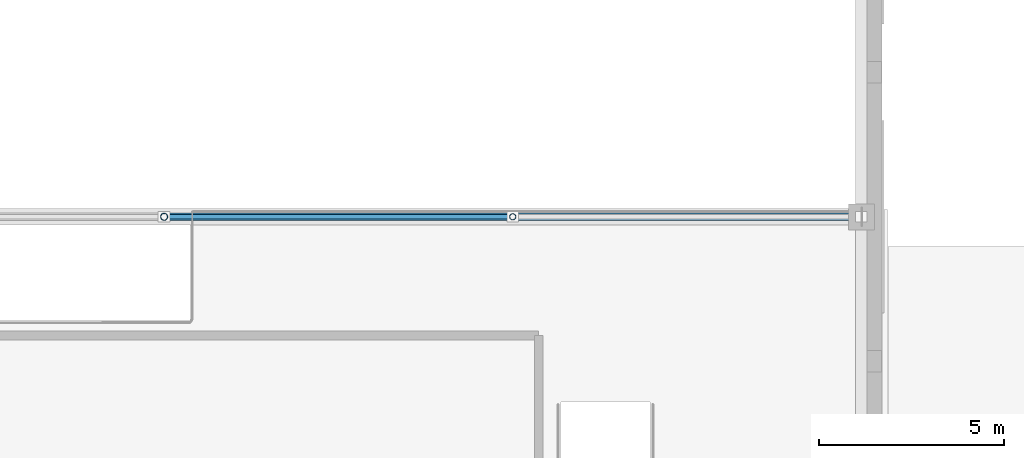
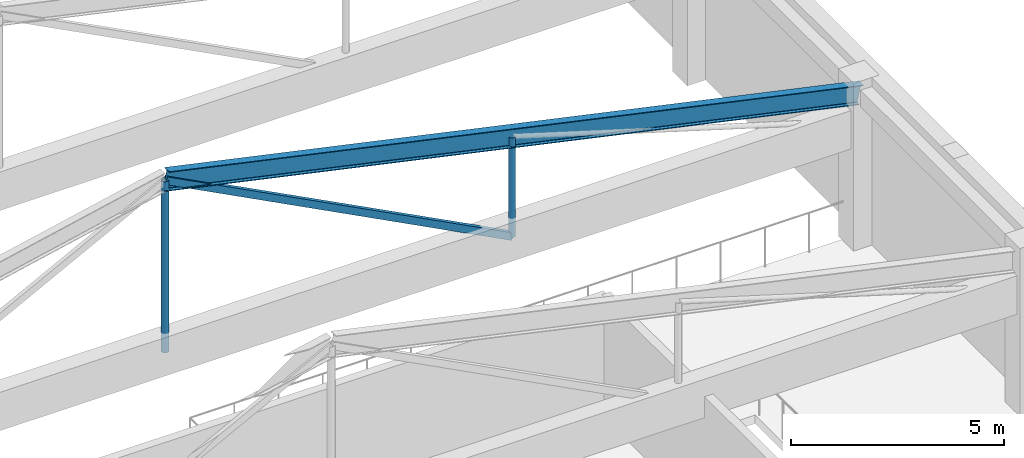
# One storey, part 26 of 105: 3 members, 1 beam.
"""IFC4 building model written with IfcOpenShell, lengths in metres."""

import ifcopenshell
import ifcopenshell.guid

model = None  # the IFC model being written
_history = None  # IfcOwnerHistory: only IFC2X3 demands one
_inside = {}  # id of a spatial element -> (the spatial element, [elements in it])
_under = {}  # id of a project, library or spatial element -> (it, [spatial elements below it])
_declared = {}  # id of a project -> (the project, [libraries it declares])
_typed = {}  # id of a type object -> (the type object, [elements of that type])
_made_of = {}  # id of a material, layer set ... -> (it, [elements and type objects made of it])


def new_model(schema):
    """Start an empty IFC model of exactly this schema.

    Asked for "IFC4X3", IfcOpenShell would pick the latest addendum, in which some entities
    have other attributes; the version numbers below select the first issue.
    IFC2X3 requires an IfcOwnerHistory on every rooted entity: one is made here for all.
    """
    global model, _history
    if schema == "IFC4X3":
        model = ifcopenshell.file(schema_version=(4, 3, 0, 0))
    else:
        model = ifcopenshell.file(schema=schema)
    _inside.clear()
    _under.clear()
    _declared.clear()
    _typed.clear()
    _made_of.clear()
    _history = None
    if model.schema == "IFC2X3":
        org = make("IfcOrganization", Name="unknown")
        user = make(
            "IfcPersonAndOrganization",
            ThePerson=make("IfcPerson", FamilyName="unknown"),
            TheOrganization=org,
        )
        app = make(
            "IfcApplication",
            ApplicationDeveloper=org,
            Version="unknown",
            ApplicationFullName="unknown",
            ApplicationIdentifier="unknown",
        )
        _history = make(
            "IfcOwnerHistory",
            OwningUser=user,
            OwningApplication=app,
            ChangeAction="ADDED",
            CreationDate=0,
        )
    return model


def make(cls, **values):
    """One entity of the class cls with the attributes given. An attribute that is None is left unset."""
    return model.create_entity(
        cls, **{name: value for name, value in values.items() if value is not None}
    )


def rooted(cls, **values):
    """An entity with a GlobalId (a new one), such as an element, a storey or a relation."""
    return make(cls, GlobalId=ifcopenshell.guid.new(), OwnerHistory=_history, **values)


def si_unit(unit_type, name, prefix=None):
    """IfcSIUnit, for example si_unit("LENGTHUNIT", "METRE", prefix="MILLI")."""
    return make("IfcSIUnit", UnitType=unit_type, Prefix=prefix, Name=name)


def assignment(units):
    """IfcUnitAssignment: the units of a project."""
    return None if units is None else make("IfcUnitAssignment", Units=units)


def point(xyz):
    """IfcCartesianPoint."""
    return None if xyz is None else make("IfcCartesianPoint", Coordinates=xyz)


def direction(xyz):
    """IfcDirection."""
    return None if xyz is None else make("IfcDirection", DirectionRatios=xyz)


def frame(location, z_axis=None, x_axis=None):
    """IfcAxis2Placement3D, a coordinate frame: its origin and axes. An axis left out is left unset."""
    return make(
        "IfcAxis2Placement3D",
        Location=point(location),
        Axis=direction(z_axis),
        RefDirection=direction(x_axis),
    )


def frame_2d(location, x_axis=None):
    """IfcAxis2Placement2D, a coordinate frame in the plane: its origin and x axis."""
    return make(
        "IfcAxis2Placement2D", Location=point(location), RefDirection=direction(x_axis)
    )


def origin():
    """The frame at (0, 0, 0) with its axes left unset."""
    return frame((0.0, 0.0, 0.0))


def origin_2d():
    """The frame at (0, 0) in the plane with its x axis left unset."""
    return frame_2d((0.0, 0.0))


def place(relative_to, where):
    """IfcLocalPlacement: puts the frame where relative to a parent placement (None: the world)."""
    return make(
        "IfcLocalPlacement", PlacementRelTo=relative_to, RelativePlacement=where
    )


def context(
    kind, dimensions, precision=None, world=None, true_north=None, identifier=None
):
    """IfcGeometricRepresentationContext, for example the 3D "Model" context."""
    return make(
        "IfcGeometricRepresentationContext",
        ContextIdentifier=identifier,
        ContextType=kind,
        CoordinateSpaceDimension=dimensions,
        Precision=precision,
        WorldCoordinateSystem=world,
        TrueNorth=true_north,
    )


def subcontext(parent, identifier, kind, view, scale=None):
    """IfcGeometricRepresentationSubContext, for example "Body" below "Model"."""
    return make(
        "IfcGeometricRepresentationSubContext",
        ContextIdentifier=identifier,
        ContextType=kind,
        ParentContext=parent,
        TargetScale=scale,
        TargetView=view,
    )


def project(units=None, contexts=None):
    """IfcProject with its units and contexts."""
    return rooted(
        "IfcProject",
        Name="project",
        RepresentationContexts=contexts,
        UnitsInContext=assignment(units),
    )


def spatial(cls, under=None, at=None, **own):
    """A site, building, storey or space (cls), placed at a placement, below another one or the project."""
    s = rooted(cls, ObjectPlacement=at, **own)
    if under is not None:
        _under.setdefault(under.id(), (under, []))[1].append(s)
    return s


def profile(cls, at=None, kind="AREA", **sizes):
    """A parametric profile (cls). Its sizes go by their IFC names, for example OverallWidth=200.0."""
    return make(cls, ProfileType=kind, Position=at, **sizes)


def hollow_rectangle(**sizes):
    """IfcRectangleHollowProfileDef."""
    return profile("IfcRectangleHollowProfileDef", **sizes)


def hollow_circle(**sizes):
    """IfcCircleHollowProfileDef."""
    return profile("IfcCircleHollowProfileDef", **sizes)


def i_section(**sizes):
    """IfcIShapeProfileDef."""
    return profile("IfcIShapeProfileDef", **sizes)


def extrude(swept, where, along, depth):
    """IfcExtrudedAreaSolid: the profile swept, set in the frame where, extruded along a direction by depth."""
    return make(
        "IfcExtrudedAreaSolid",
        SweptArea=swept,
        Position=where,
        ExtrudedDirection=direction(along),
        Depth=depth,
    )


def shape(context_of_items, identifier, shape_type, items):
    """IfcShapeRepresentation: the items that make up one representation, for example the "Body"."""
    return make(
        "IfcShapeRepresentation",
        ContextOfItems=context_of_items,
        RepresentationIdentifier=identifier,
        RepresentationType=shape_type,
        Items=items,
    )


def material(Name=None, Category=None):
    """IfcMaterial."""
    return make("IfcMaterial", Name=Name, Category=Category)


def material_profile(
    of_material, cross_section, Name=None, Category=None, Priority=None
):
    """IfcMaterialProfile: a cross section and its material."""
    return make(
        "IfcMaterialProfile",
        Name=Name,
        Material=of_material,
        Profile=cross_section,
        Priority=Priority,
        Category=Category,
    )


def profile_set(profiles, Name=None, composite=None):
    """IfcMaterialProfileSet."""
    return make(
        "IfcMaterialProfileSet",
        Name=Name,
        MaterialProfiles=profiles,
        CompositeProfile=composite,
    )


def made_of(thing, what):
    """Note that an element or type object is made of a material, layer set ...; save() writes the relation."""
    if what is not None:
        _made_of.setdefault(what.id(), (what, []))[1].append(thing)
    return thing


def type_object(cls, material=None, **own):
    """A type object (cls), such as IfcWallType, which elements share."""
    return made_of(rooted(cls, **own), material)


def element(
    cls,
    number,
    at=None,
    inside=None,
    cuts=None,
    type_object=None,
    material=None,
    context=None,
    identifier="Body",
    shape_type=None,
    held_by="IfcProductDefinitionShape",
    body=None,
    shapes=None,
    **own,
):
    """One element of the class cls, such as IfcWall. Its Tag is "e" and its number.

    at: its placement. inside: the storey or other place that contains it. cuts: it is an
    opening in that element (IfcRelVoidsElement). A single representation is given by context,
    identifier, shape_type and body (its items); several are given by shapes. held_by: the class
    of the entity that holds the representations. save() writes the other relations.
    """
    e = rooted(cls, Tag="e%d" % number, ObjectPlacement=at, **own)
    if body is not None:
        shapes = [shape(context, identifier, shape_type, body)]
    if shapes is not None:
        e.Representation = make(held_by, Representations=shapes)
    if inside is not None:
        _inside.setdefault(inside.id(), (inside, []))[1].append(e)
    if cuts is not None:
        rooted(
            "IfcRelVoidsElement", RelatingBuildingElement=cuts, RelatedOpeningElement=e
        )
    if type_object is not None:
        _typed.setdefault(type_object.id(), (type_object, []))[1].append(e)
    return made_of(e, material)


def aggregate(whole, parts):
    """IfcRelAggregates: a whole, such as a stair, and the parts it consists of."""
    return rooted("IfcRelAggregates", RelatingObject=whole, RelatedObjects=parts)


def save(model, path):
    """Write the relations noted so far, then the file.

    IfcRelAggregates (storeys below a building ...), IfcRelContainedInSpatialStructure (elements
    in a storey), IfcRelDefinesByType, IfcRelAssociatesMaterial and IfcRelDeclares: one each for
    every whole, place, type object, material and project.
    """
    for whole, parts in _under.values():
        aggregate(whole, parts)
    for where, things in _inside.values():
        rooted(
            "IfcRelContainedInSpatialStructure",
            RelatedElements=things,
            RelatingStructure=where,
        )
    for kind, things in _typed.values():
        rooted("IfcRelDefinesByType", RelatedObjects=things, RelatingType=kind)
    for what, things in _made_of.values():
        rooted("IfcRelAssociatesMaterial", RelatedObjects=things, RelatingMaterial=what)
    for by, libraries in _declared.values():
        rooted("IfcRelDeclares", RelatingContext=by, RelatedDefinitions=libraries)
    model.write(path)


model = new_model("IFC4")

# Units and contexts
model_context = context("Model", 3, precision=1e-05, world=origin(), true_north=direction((0.0, 1.0)))
body_context = subcontext(model_context, "Body", "Model", "MODEL_VIEW")
ifc_project = project(units=[si_unit("LENGTHUNIT", "METRE"), si_unit("AREAUNIT", "SQUARE_METRE"), si_unit("VOLUMEUNIT", "CUBIC_METRE"), si_unit("PLANEANGLEUNIT", "RADIAN"), si_unit("MASSUNIT", "GRAM", prefix="KILO")], contexts=[model_context])

# Site, building, storey
site_placement = place(None, origin())
site = spatial("IfcSite", under=ifc_project, at=site_placement, CompositionType="ELEMENT")
building_placement = place(site_placement, origin())
building = spatial("IfcBuilding", under=site, at=building_placement, Name="Pelvatis Terrace Science Centre", CompositionType="ELEMENT")
storey_placement = place(building_placement, frame((0.0, 0.0, 10.199951171875)))
storey = spatial("IfcBuildingStorey", under=building, at=storey_placement, Name="L02", CompositionType="ELEMENT", Elevation=10.199951171875)

# Beam
ifc_material_1 = material(Name="Structural steel S355", Category="steel")
ifc_material_profile_1 = material_profile(ifc_material_1, i_section(OverallWidth=0.2109375, OverallDepth=0.5390625, WebThickness=0.01171875, FlangeThickness=0.018798828125, FilletRadius=0.013916015625, at=origin_2d()), Name="W530x109")
ifc_profile_set_1 = profile_set([ifc_material_profile_1], Name="Structural steel S355")
beam_type = type_object("IfcBeamType", Name="BM-STL-W530x109", PredefinedType="BEAM", material=ifc_profile_set_1)
beam_placement = place(storey_placement, frame((27.300048828125, 85.800048828125, 8.300048828125), z_axis=(0.977034495262, 0.0, -0.213081193603), x_axis=(0.0, 1.0, 0.0)))
element("IfcBeam", 1, at=beam_placement, inside=storey, type_object=beam_type, Name="Theatre roof truss 3 east top girder", PredefinedType="BEAM", context=body_context, shape_type="SweptSolid", body=[
    extrude(i_section(OverallWidth=0.2109375, OverallDepth=0.5390625, WebThickness=0.01171875, FlangeThickness=0.018798828125, FilletRadius=0.013916015625, at=origin_2d()), origin(), (0.0, 0.0, 1.0), 19.241943359375),
])

# Members
ifc_material_2 = material(Name="Structural steel S355", Category="steel")
ifc_material_profile_2 = material_profile(ifc_material_2, hollow_rectangle(XDim=0.1201171875, YDim=0.199951171875, WallThickness=0.00634765625, at=origin_2d()), Name="RHS 200x120x6.3")
ifc_profile_set_2 = profile_set([ifc_material_profile_2], Name="Structural steel S355")
member_type_1 = type_object("IfcMemberType", Name="MEM-BRC-RHS200", PredefinedType="BRACE", material=ifc_profile_set_2)
member_1_placement = place(storey_placement, frame((36.699951171875, 85.800048828125, 3.400146484375), z_axis=(-0.886754801101, 0.0, 0.462240113711), x_axis=(0.0, -1.0, 0.0)))
element("IfcMember", 2, at=member_1_placement, inside=storey, type_object=member_type_1, Name="Theatre truss 3 web 6", PredefinedType="BRACE", context=body_context, shape_type="SweptSolid", body=[
    extrude(hollow_rectangle(XDim=0.1201171875, YDim=0.199951171875, WallThickness=0.00634765625, at=origin_2d()), origin(), (0.0, 0.0, 1.0), 10.600341796875),
])
ifc_material_3 = material(Name="Structural steel S355", Category="steel")
ifc_material_profile_3 = material_profile(ifc_material_3, hollow_circle(Radius=0.084228515625, WallThickness=0.00634765625, at=origin_2d()), Name="CHS 168.3x6.3")
ifc_profile_set_3 = profile_set([ifc_material_profile_3], Name="Structural steel S355")
member_type_2 = type_object("IfcMemberType", Name="MEM-STR-CHS168", PredefinedType="STRUT", material=ifc_profile_set_3)
member_2_placement = place(storey_placement, frame((36.699951171875, 85.800048828125, 3.400146484375), z_axis=(0.0, 0.0, 1.0), x_axis=(1.0, 0.0, 0.0)))
element("IfcMember", 3, at=member_2_placement, inside=storey, type_object=member_type_2, Name="Theatre truss 3 web 2", PredefinedType="STRUT", context=body_context, shape_type="SweptSolid", body=[
    extrude(hollow_circle(Radius=0.084228515625, WallThickness=0.00634765625, at=origin_2d()), origin(), (0.0, 0.0, 1.0), 2.849853515625),
])
ifc_material_4 = material(Name="Structural steel S355", Category="steel")
ifc_material_profile_4 = material_profile(ifc_material_4, hollow_circle(Radius=0.096923828125, WallThickness=0.008056640625, at=origin_2d()), Name="CHS 193.7x8.0")
ifc_profile_set_4 = profile_set([ifc_material_profile_4], Name="Structural steel S355")
member_type_3 = type_object("IfcMemberType", Name="MEM-STR-CHS194", PredefinedType="STRUT", material=ifc_profile_set_4)
member_3_placement = place(storey_placement, frame((27.300048828125, 85.800048828125, 3.400146484375), z_axis=(0.0, 0.0, 1.0), x_axis=(1.0, 0.0, 0.0)))
element("IfcMember", 4, at=member_3_placement, inside=storey, type_object=member_type_3, Name="Theatre roof truss 3 king strut", PredefinedType="STRUT", context=body_context, shape_type="SweptSolid", body=[
    extrude(hollow_circle(Radius=0.096923828125, WallThickness=0.008056640625, at=origin_2d()), origin(), (0.0, 0.0, 1.0), 4.89990234375),
])

save(model, "model.ifc")
